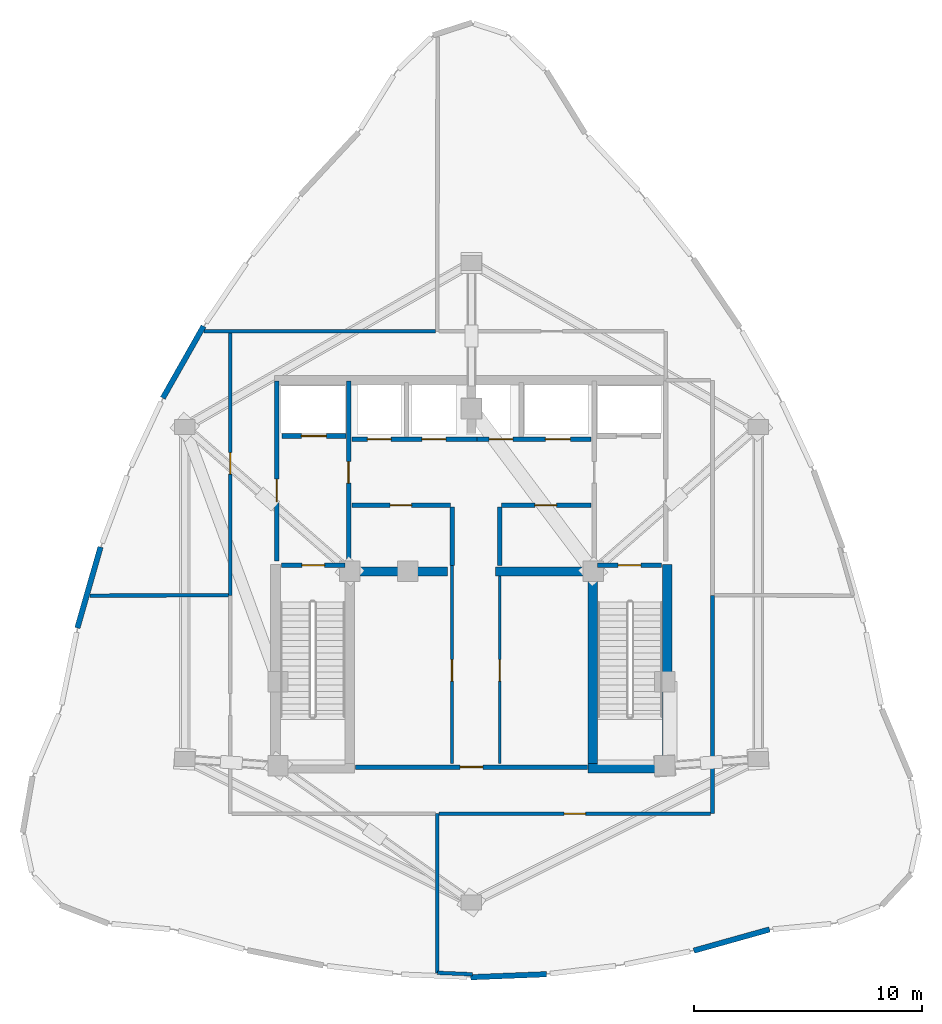
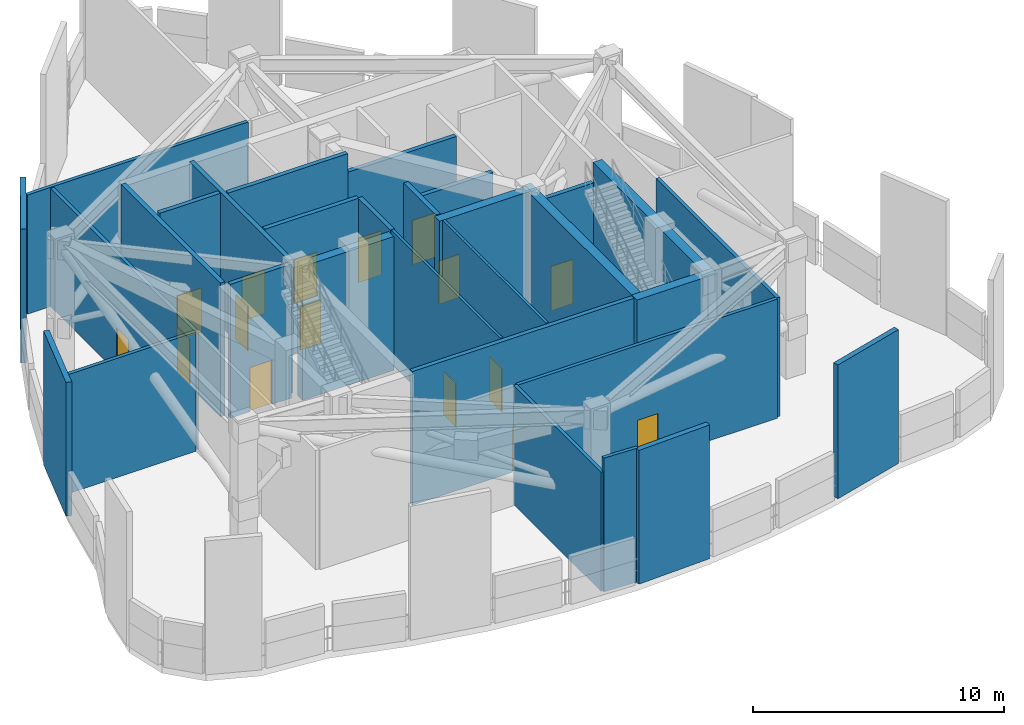
# One storey, part 3 of 8: 30 walls, 16 doors, 16 openings.
"""IFC4 building model written with IfcOpenShell, lengths in metres."""

import ifcopenshell
import ifcopenshell.guid

model = None  # the IFC model being written
_history = None  # IfcOwnerHistory: only IFC2X3 demands one
_inside = {}  # id of a spatial element -> (the spatial element, [elements in it])
_under = {}  # id of a project, library or spatial element -> (it, [spatial elements below it])
_declared = {}  # id of a project -> (the project, [libraries it declares])
_typed = {}  # id of a type object -> (the type object, [elements of that type])
_made_of = {}  # id of a material, layer set ... -> (it, [elements and type objects made of it])


def new_model(schema):
    """Start an empty IFC model of exactly this schema.

    Asked for "IFC4X3", IfcOpenShell would pick the latest addendum, in which some entities
    have other attributes; the version numbers below select the first issue.
    IFC2X3 requires an IfcOwnerHistory on every rooted entity: one is made here for all.
    """
    global model, _history
    if schema == "IFC4X3":
        model = ifcopenshell.file(schema_version=(4, 3, 0, 0))
    else:
        model = ifcopenshell.file(schema=schema)
    _inside.clear()
    _under.clear()
    _declared.clear()
    _typed.clear()
    _made_of.clear()
    _history = None
    if model.schema == "IFC2X3":
        org = make("IfcOrganization", Name="unknown")
        user = make(
            "IfcPersonAndOrganization",
            ThePerson=make("IfcPerson", FamilyName="unknown"),
            TheOrganization=org,
        )
        app = make(
            "IfcApplication",
            ApplicationDeveloper=org,
            Version="unknown",
            ApplicationFullName="unknown",
            ApplicationIdentifier="unknown",
        )
        _history = make(
            "IfcOwnerHistory",
            OwningUser=user,
            OwningApplication=app,
            ChangeAction="ADDED",
            CreationDate=0,
        )
    return model


def make(cls, **values):
    """One entity of the class cls with the attributes given. An attribute that is None is left unset."""
    return model.create_entity(
        cls, **{name: value for name, value in values.items() if value is not None}
    )


def rooted(cls, **values):
    """An entity with a GlobalId (a new one), such as an element, a storey or a relation."""
    return make(cls, GlobalId=ifcopenshell.guid.new(), OwnerHistory=_history, **values)


def si_unit(unit_type, name, prefix=None):
    """IfcSIUnit, for example si_unit("LENGTHUNIT", "METRE", prefix="MILLI")."""
    return make("IfcSIUnit", UnitType=unit_type, Prefix=prefix, Name=name)


def assignment(units):
    """IfcUnitAssignment: the units of a project."""
    return None if units is None else make("IfcUnitAssignment", Units=units)


def point(xyz):
    """IfcCartesianPoint."""
    return None if xyz is None else make("IfcCartesianPoint", Coordinates=xyz)


def direction(xyz):
    """IfcDirection."""
    return None if xyz is None else make("IfcDirection", DirectionRatios=xyz)


def frame(location, z_axis=None, x_axis=None):
    """IfcAxis2Placement3D, a coordinate frame: its origin and axes. An axis left out is left unset."""
    return make(
        "IfcAxis2Placement3D",
        Location=point(location),
        Axis=direction(z_axis),
        RefDirection=direction(x_axis),
    )


def frame_2d(location, x_axis=None):
    """IfcAxis2Placement2D, a coordinate frame in the plane: its origin and x axis."""
    return make(
        "IfcAxis2Placement2D", Location=point(location), RefDirection=direction(x_axis)
    )


def origin():
    """The frame at (0, 0, 0) with its axes left unset."""
    return frame((0.0, 0.0, 0.0))


def place(relative_to, where):
    """IfcLocalPlacement: puts the frame where relative to a parent placement (None: the world)."""
    return make(
        "IfcLocalPlacement", PlacementRelTo=relative_to, RelativePlacement=where
    )


def context(
    kind, dimensions, precision=None, world=None, true_north=None, identifier=None
):
    """IfcGeometricRepresentationContext, for example the 3D "Model" context."""
    return make(
        "IfcGeometricRepresentationContext",
        ContextIdentifier=identifier,
        ContextType=kind,
        CoordinateSpaceDimension=dimensions,
        Precision=precision,
        WorldCoordinateSystem=world,
        TrueNorth=true_north,
    )


def subcontext(parent, identifier, kind, view, scale=None):
    """IfcGeometricRepresentationSubContext, for example "Body" below "Model"."""
    return make(
        "IfcGeometricRepresentationSubContext",
        ContextIdentifier=identifier,
        ContextType=kind,
        ParentContext=parent,
        TargetScale=scale,
        TargetView=view,
    )


def project(units=None, contexts=None):
    """IfcProject with its units and contexts."""
    return rooted(
        "IfcProject",
        Name="project",
        RepresentationContexts=contexts,
        UnitsInContext=assignment(units),
    )


def spatial(cls, under=None, at=None, **own):
    """A site, building, storey or space (cls), placed at a placement, below another one or the project."""
    s = rooted(cls, ObjectPlacement=at, **own)
    if under is not None:
        _under.setdefault(under.id(), (under, []))[1].append(s)
    return s


def profile(cls, at=None, kind="AREA", **sizes):
    """A parametric profile (cls). Its sizes go by their IFC names, for example OverallWidth=200.0."""
    return make(cls, ProfileType=kind, Position=at, **sizes)


def rectangle(**sizes):
    """IfcRectangleProfileDef."""
    return profile("IfcRectangleProfileDef", **sizes)


def extrude(swept, where, along, depth):
    """IfcExtrudedAreaSolid: the profile swept, set in the frame where, extruded along a direction by depth."""
    return make(
        "IfcExtrudedAreaSolid",
        SweptArea=swept,
        Position=where,
        ExtrudedDirection=direction(along),
        Depth=depth,
    )


def shape(context_of_items, identifier, shape_type, items):
    """IfcShapeRepresentation: the items that make up one representation, for example the "Body"."""
    return make(
        "IfcShapeRepresentation",
        ContextOfItems=context_of_items,
        RepresentationIdentifier=identifier,
        RepresentationType=shape_type,
        Items=items,
    )


def material(Name=None, Category=None):
    """IfcMaterial."""
    return make("IfcMaterial", Name=Name, Category=Category)


def layer(
    of_material, thickness, ventilated=None, Name=None, Category=None, Priority=None
):
    """IfcMaterialLayer: one layer of a wall or slab, of a material (None: an air gap)."""
    return make(
        "IfcMaterialLayer",
        Material=of_material,
        LayerThickness=thickness,
        IsVentilated=ventilated,
        Name=Name,
        Category=Category,
        Priority=Priority,
    )


def layer_set(layers, Name=None):
    """IfcMaterialLayerSet."""
    return make("IfcMaterialLayerSet", MaterialLayers=layers, LayerSetName=Name)


def made_of(thing, what):
    """Note that an element or type object is made of a material, layer set ...; save() writes the relation."""
    if what is not None:
        _made_of.setdefault(what.id(), (what, []))[1].append(thing)
    return thing


def type_object(cls, material=None, **own):
    """A type object (cls), such as IfcWallType, which elements share."""
    return made_of(rooted(cls, **own), material)


def element(
    cls,
    number,
    at=None,
    inside=None,
    cuts=None,
    type_object=None,
    material=None,
    context=None,
    identifier="Body",
    shape_type=None,
    held_by="IfcProductDefinitionShape",
    body=None,
    shapes=None,
    **own,
):
    """One element of the class cls, such as IfcWall. Its Tag is "e" and its number.

    at: its placement. inside: the storey or other place that contains it. cuts: it is an
    opening in that element (IfcRelVoidsElement). A single representation is given by context,
    identifier, shape_type and body (its items); several are given by shapes. held_by: the class
    of the entity that holds the representations. save() writes the other relations.
    """
    e = rooted(cls, Tag="e%d" % number, ObjectPlacement=at, **own)
    if body is not None:
        shapes = [shape(context, identifier, shape_type, body)]
    if shapes is not None:
        e.Representation = make(held_by, Representations=shapes)
    if inside is not None:
        _inside.setdefault(inside.id(), (inside, []))[1].append(e)
    if cuts is not None:
        rooted(
            "IfcRelVoidsElement", RelatingBuildingElement=cuts, RelatedOpeningElement=e
        )
    if type_object is not None:
        _typed.setdefault(type_object.id(), (type_object, []))[1].append(e)
    return made_of(e, material)


def fill(opening, filler):
    """IfcRelFillsElement: the door or window that sits in an opening."""
    return rooted(
        "IfcRelFillsElement",
        RelatingOpeningElement=opening,
        RelatedBuildingElement=filler,
    )


def aggregate(whole, parts):
    """IfcRelAggregates: a whole, such as a stair, and the parts it consists of."""
    return rooted("IfcRelAggregates", RelatingObject=whole, RelatedObjects=parts)


def save(model, path):
    """Write the relations noted so far, then the file.

    IfcRelAggregates (storeys below a building ...), IfcRelContainedInSpatialStructure (elements
    in a storey), IfcRelDefinesByType, IfcRelAssociatesMaterial and IfcRelDeclares: one each for
    every whole, place, type object, material and project.
    """
    for whole, parts in _under.values():
        aggregate(whole, parts)
    for where, things in _inside.values():
        rooted(
            "IfcRelContainedInSpatialStructure",
            RelatedElements=things,
            RelatingStructure=where,
        )
    for kind, things in _typed.values():
        rooted("IfcRelDefinesByType", RelatedObjects=things, RelatingType=kind)
    for what, things in _made_of.values():
        rooted("IfcRelAssociatesMaterial", RelatedObjects=things, RelatingMaterial=what)
    for by, libraries in _declared.values():
        rooted("IfcRelDeclares", RelatingContext=by, RelatedDefinitions=libraries)
    model.write(path)


model = new_model("IFC4")

# Units and contexts
model_context = context("Model", 3, precision=1e-05, world=origin(), true_north=direction((0.0, 1.0)))
body_context = subcontext(model_context, "Body", "Model", "MODEL_VIEW")
ifc_project = project(units=[si_unit("LENGTHUNIT", "METRE"), si_unit("AREAUNIT", "SQUARE_METRE"), si_unit("VOLUMEUNIT", "CUBIC_METRE"), si_unit("PLANEANGLEUNIT", "RADIAN"), si_unit("MASSUNIT", "GRAM", prefix="KILO")], contexts=[model_context])

# Site, building, storey
site_placement = place(None, origin())
site = spatial("IfcSite", under=ifc_project, at=site_placement, CompositionType="ELEMENT")
building_placement = place(site_placement, origin())
building = spatial("IfcBuilding", under=site, at=building_placement, Name="Miruveldt Soraemaru", CompositionType="ELEMENT")
storey_placement = place(building_placement, frame((0.0, 0.0, 282.800048828125)))
storey = spatial("IfcBuildingStorey", under=building, at=storey_placement, Name="L77", CompositionType="ELEMENT", Elevation=282.800048828125)

# Walls
ifc_material_1 = material(Name="Concrete C70/85 (70 MPa)", Category="concrete")
ifc_layer_1 = layer(ifc_material_1, 0.5, Name="Concrete C70/85 (70 MPa)", Category="concrete")
ifc_layer_set_1 = layer_set([ifc_layer_1], Name="Concrete C70/85 (70 MPa)")
wall_type_1 = type_object("IfcWallType", Name="WALL-BW-500", PredefinedType="SHEAR", material=ifc_layer_set_1)
for number, where, z_axis, x_axis, name in (
    (1, (38.75, 44.050048828125, 0.0), (0.0, 0.0, 1.0), (1.0, 0.0, 0.0), "L77 Core Buttress Shear Wall BW"),
    (2, (45.050048828125, 44.050048828125, 0.0), (0.0, 0.0, 1.0), (1.0, 0.0, 0.0), "L77 Core Buttress Shear Wall BE"),
):
    element("IfcWall", number, at=place(storey_placement, frame(where, z_axis=z_axis, x_axis=x_axis)), inside=storey, type_object=wall_type_1, Name=name, PredefinedType="SHEAR", context=body_context, shape_type="SweptSolid", body=[
        extrude(rectangle(XDim=4.199951171875, YDim=0.39990234375, at=frame_2d((2.10009765625, 0.0))), origin(), (0.0, 0.0, 1.0), 6.510009765625),
    ])
ifc_material_2 = material(Name="Concrete C50/60 (50 MPa)", Category="concrete")
ifc_layer_2 = layer(ifc_material_2, 0.419921875, Name="Concrete C50/60 (50 MPa)", Category="concrete")
ifc_layer_set_2 = layer_set([ifc_layer_2], Name="Concrete C50/60 (50 MPa)")
wall_type_2 = type_object("IfcWallType", Name="WALL-CW-420", PredefinedType="SHEAR", material=ifc_layer_set_2)
wall_1_placement = place(storey_placement, frame((49.1298828125, 35.389892578125, 0.0), z_axis=(0.0, 0.0, 1.0), x_axis=(1.0, 0.0, 0.0)))
element("IfcWall", 3, at=wall_1_placement, inside=storey, type_object=wall_type_2, Name="L77 Central Core Shear Wall S2", PredefinedType="SHEAR", context=body_context, shape_type="SweptSolid", body=[
    extrude(rectangle(XDim=3.690185546875, YDim=0.419921875, at=frame_2d((1.84521484375, 0.0))), origin(), (0.0, 0.0, 1.0), 6.510009765625),
])
wall_2_placement = place(storey_placement, frame((52.610107421875, 35.179931640625, 0.0), z_axis=(0.0, 0.0, 1.0), x_axis=(0.0, 1.0, 0.0)))
element("IfcWall", 4, at=wall_2_placement, inside=storey, type_object=wall_type_2, Name="L77 Central Core Shear Wall E1", PredefinedType="SHEAR", context=body_context, shape_type="SweptSolid", body=[
    extrude(rectangle(XDim=9.170166015625, YDim=0.419921875, at=frame_2d((4.5849609375, 0.0))), origin(), (0.0, 0.0, 1.0), 6.510009765625),
])
wall_3_placement = place(storey_placement, frame((49.340087890625, 35.39990234375, 0.0), z_axis=(0.0, 0.0, 1.0), x_axis=(0.0, 1.0, 0.0)))
element("IfcWall", 5, at=wall_3_placement, inside=storey, type_object=wall_type_2, Name="L77 Central Core Shear Wall SE-INT", PredefinedType="SHEAR", context=body_context, shape_type="SweptSolid", body=[
    extrude(rectangle(XDim=8.9501953125, YDim=0.419921875, at=frame_2d((4.47509765625, 0.0))), origin(), (0.0, 0.0, 1.0), 6.510009765625),
])
ifc_material_3 = material(Name="Precast concrete C45/55 (45 MPa)", Category="concrete")
ifc_layer_3 = layer(ifc_material_3, 0.239990234375, Name="Precast concrete C45/55 (45 MPa)", Category="concrete")
ifc_layer_set_3 = layer_set([ifc_layer_3], Name="Precast concrete C45/55 (45 MPa)")
wall_type_3 = type_object("IfcWallType", Name="WALL-EXT-PC240", PredefinedType="SOLIDWALL", material=ifc_layer_set_3)
wall_4_placement = place(storey_placement, frame((32.228759765625, 54.825439453125, 0.0), z_axis=(0.0, 0.0, 1.0), x_axis=(-0.493333269889, -0.869840378932, 0.0)))
element("IfcWall", 6, at=wall_4_placement, inside=storey, type_object=wall_type_3, Name="L77 Turbine Slot Pier Wall 10", PredefinedType="SOLIDWALL", context=body_context, shape_type="SweptSolid", body=[
    extrude(rectangle(XDim=3.6298828125, YDim=0.239990234375, at=frame_2d((1.81494140625, 0.0))), origin(), (0.0, 0.0, 1.0), 6.510009765625),
])
wall_5_placement = place(storey_placement, frame((27.69921875, 45.1201171875, 0.0), z_axis=(0.0, 0.0, 1.0), x_axis=(-0.27493040994, -0.961464128135, 0.0)))
element("IfcWall", 7, at=wall_5_placement, inside=storey, type_object=wall_type_3, Name="L77 Turbine Slot Pier Wall 13", PredefinedType="SOLIDWALL", context=body_context, shape_type="SweptSolid", body=[
    extrude(rectangle(XDim=3.69775390625, YDim=0.239990234375, at=frame_2d((1.848876953125, 0.0))), origin(), (0.0, 0.0, 1.0), 6.510009765625),
])
wall_6_placement = place(storey_placement, frame((43.969970703125, 26.210693359375, 0.0), z_axis=(0.0, 0.0, 1.0), x_axis=(0.999199201801, 0.040011937234, 0.0)))
element("IfcWall", 8, at=wall_6_placement, inside=storey, type_object=wall_type_3, Name="L77 Turbine Slot Pier Wall 25", PredefinedType="SOLIDWALL", context=body_context, shape_type="SweptSolid", body=[
    extrude(rectangle(XDim=3.33154296875, YDim=0.239990234375, at=frame_2d((1.665771484375, 0.0))), origin(), (0.0, 0.0, 1.0), 6.510009765625),
])
wall_7_placement = place(storey_placement, frame((53.777587890625, 27.380615234375, 0.0), z_axis=(0.0, 0.0, 1.0), x_axis=(0.962969157375, 0.269611576059, 0.0)))
element("IfcWall", 9, at=wall_7_placement, inside=storey, type_object=wall_type_3, Name="L77 Turbine Slot Pier Wall 28", PredefinedType="SOLIDWALL", context=body_context, shape_type="SweptSolid", body=[
    extrude(rectangle(XDim=3.45458984375, YDim=0.239990234375, at=frame_2d((1.727294921875, 0.0))), origin(), (0.0, 0.0, 1.0), 6.510009765625),
])

# Wall, opening, door
ifc_material_4 = material(Name="Gypsum plasterboard lining", Category="gypsum")
ifc_layer_4 = layer(ifc_material_4, 0.1201171875, Name="Gypsum plasterboard lining", Category="gypsum")
ifc_layer_set_4 = layer_set([ifc_layer_4], Name="Gypsum plasterboard lining")
wall_type_4 = type_object("IfcWallType", Name="WALL-INT-P120", PredefinedType="PARTITIONING", material=ifc_layer_set_4)
wall_8_placement = place(storey_placement, frame((43.14990234375, 35.60009765625, 0.0), z_axis=(0.0, 0.0, 1.0), x_axis=(0.0, 1.0, 0.0)))
wall_8 = element("IfcWall", 10, at=wall_8_placement, inside=storey, type_object=wall_type_4, Name="L77 Core Compartment Wall SP-WL", PredefinedType="PARTITIONING", context=body_context, shape_type="SweptSolid", body=[
    extrude(rectangle(XDim=8.699951171875, YDim=0.1201171875, at=frame_2d((4.35009765625, 0.0))), origin(), (0.0, 0.0, 1.0), 6.510009765625),
])
opening_1_placement = place(wall_8_placement, frame((3.625, 0.0, 0.0)))
opening_1 = element("IfcOpeningElement", 11, at=opening_1_placement, cuts=wall_8, Name="Opening D2", PredefinedType="OPENING", context=body_context, shape_type="SweptSolid", body=[
    extrude(rectangle(XDim=0.949951171875, YDim=2.10009765625, at=frame_2d((0.47509765625, 1.050048828125))), frame((0.0, 0.070068359375, 0.0), z_axis=(0.0, -1.0, 0.0), x_axis=(1.0, 0.0, 0.0)), (0.0, 0.0, 1.0), 0.14013671875),
])
ifc_material_5 = material(Name="Anodised aluminium EN AW-6063 T6", Category="aluminium")
door_type_1 = type_object("IfcDoorType", Name="DOOR-INT-950", OperationType="NOTDEFINED", PredefinedType="DOOR", material=ifc_material_5)
door_1_placement = place(opening_1_placement, origin())
door_1 = element("IfcDoor", 12, at=door_1_placement, inside=storey, type_object=door_type_1, Name="L77 Fire Door", OperationType="SINGLE_SWING_LEFT", OverallHeight=2.10009765625, OverallWidth=0.949951171875, PredefinedType="DOOR", context=body_context, shape_type="SweptSolid", body=[
    extrude(rectangle(XDim=0.949951171875, YDim=2.10009765625, at=frame_2d((0.47509765625, 1.050048828125))), frame((0.0, 0.02490234375, 0.0), z_axis=(0.0, -1.0, 0.0), x_axis=(1.0, 0.0, 0.0)), (0.0, 0.0, 1.0), 0.050048828125),
])
fill(opening_1, door_1)

wall_9_placement = place(storey_placement, frame((45.25, 35.60009765625, 0.0), z_axis=(0.0, 0.0, 1.0), x_axis=(0.0, 1.0, 0.0)))
wall_9 = element("IfcWall", 13, at=wall_9_placement, inside=storey, type_object=wall_type_4, Name="L77 Core Compartment Wall SP-EL", PredefinedType="PARTITIONING", context=body_context, shape_type="SweptSolid", body=[
    extrude(rectangle(XDim=8.25, YDim=0.1201171875, at=frame_2d((4.125, 0.0))), origin(), (0.0, 0.0, 1.0), 6.510009765625),
])
opening_2_placement = place(wall_9_placement, frame((3.625, 0.0, 0.0)))
opening_2 = element("IfcOpeningElement", 14, at=opening_2_placement, cuts=wall_9, Name="Opening D2", PredefinedType="OPENING", context=body_context, shape_type="SweptSolid", body=[
    extrude(rectangle(XDim=0.949951171875, YDim=2.10009765625, at=frame_2d((0.47509765625, 1.050048828125))), frame((0.0, 0.070068359375, 0.0), z_axis=(0.0, -1.0, 0.0), x_axis=(1.0, 0.0, 0.0)), (0.0, 0.0, 1.0), 0.14013671875),
])
door_2_placement = place(opening_2_placement, origin())
door_2 = element("IfcDoor", 15, at=door_2_placement, inside=storey, type_object=door_type_1, Name="L77 Fire Door", OperationType="SINGLE_SWING_LEFT", OverallHeight=2.10009765625, OverallWidth=0.949951171875, PredefinedType="DOOR", context=body_context, shape_type="SweptSolid", body=[
    extrude(rectangle(XDim=0.949951171875, YDim=2.10009765625, at=frame_2d((0.47509765625, 1.050048828125))), frame((0.0, 0.02490234375, 0.0), z_axis=(0.0, -1.0, 0.0), x_axis=(1.0, 0.0, 0.0)), (0.0, 0.0, 1.0), 0.050048828125),
])
fill(opening_2, door_2)

ifc_material_6 = material(Name="Concrete C40/50 (40 MPa)", Category="concrete")
ifc_layer_5 = layer(ifc_material_6, 0.159912109375, Name="Concrete C40/50 (40 MPa)", Category="concrete")
ifc_layer_set_5 = layer_set([ifc_layer_5], Name="Concrete C40/50 (40 MPa)")
wall_type_5 = type_object("IfcWallType", Name="WALL-INT-RC160", PredefinedType="SOLIDWALL", material=ifc_layer_set_5)
wall_10_placement = place(storey_placement, frame((42.580078125, 33.39990234375, 0.0), z_axis=(0.0, 0.0, 1.0), x_axis=(1.0, 0.0, 0.0)))
wall_10 = element("IfcWall", 16, at=wall_10_placement, inside=storey, type_object=wall_type_5, Name="L77 Partition Wall 3", PredefinedType="SOLIDWALL", context=body_context, shape_type="SweptSolid", body=[
    extrude(rectangle(XDim=11.93994140625, YDim=0.159912109375, at=frame_2d((5.969970703125, 0.0))), origin(), (0.0, 0.0, 1.0), 5.7978515625),
])
opening_3_placement = place(wall_10_placement, frame((5.4951171875, 0.0, 0.0)))
opening_3 = element("IfcOpeningElement", 17, at=opening_3_placement, cuts=wall_10, Name="Opening FD2", PredefinedType="OPENING", context=body_context, shape_type="SweptSolid", body=[
    extrude(rectangle(XDim=0.949951171875, YDim=2.14990234375, at=frame_2d((0.47509765625, 1.074951171875))), frame((0.0, 0.08984375, 0.0), z_axis=(0.0, -1.0, 0.0), x_axis=(1.0, 0.0, 0.0)), (0.0, 0.0, 1.0), 0.179931640625),
])
door_type_2 = type_object("IfcDoorType", Name="DOOR-FD2-950", OperationType="NOTDEFINED", PredefinedType="DOOR", material=ifc_material_5)
door_3_placement = place(opening_3_placement, origin())
door_3 = element("IfcDoor", 18, at=door_3_placement, inside=storey, type_object=door_type_2, Name="L77 Chiller and Heat Exchanger Plant Room Fire Door", OperationType="SINGLE_SWING_LEFT", OverallHeight=2.14990234375, OverallWidth=0.949951171875, PredefinedType="DOOR", context=body_context, shape_type="SweptSolid", body=[
    extrude(rectangle(XDim=0.949951171875, YDim=2.14990234375, at=frame_2d((0.47509765625, 1.074951171875))), frame((0.0, 0.02490234375, 0.0), z_axis=(0.0, -1.0, 0.0), x_axis=(1.0, 0.0, 0.0)), (0.0, 0.0, 1.0), 0.050048828125),
])
fill(opening_3, door_3)

wall_11_placement = place(storey_placement, frame((33.39990234375, 54.60009765625, 0.0), z_axis=(0.0, 0.0, 1.0), x_axis=(0.0, -1.0, 0.0)))
wall_11 = element("IfcWall", 19, at=wall_11_placement, inside=storey, type_object=wall_type_5, Name="L77 Partition Wall 6", PredefinedType="SOLIDWALL", context=body_context, shape_type="SweptSolid", body=[
    extrude(rectangle(XDim=11.60009765625, YDim=0.159912109375, at=frame_2d((5.800048828125, 0.0))), origin(), (0.0, 0.0, 1.0), 5.748046875),
])
opening_4_placement = place(wall_11_placement, frame((5.324951171875, 0.0, 0.0)))
opening_4 = element("IfcOpeningElement", 20, at=opening_4_placement, cuts=wall_11, Name="Opening FD2", PredefinedType="OPENING", context=body_context, shape_type="SweptSolid", body=[
    extrude(rectangle(XDim=0.949951171875, YDim=2.14990234375, at=frame_2d((0.47509765625, 1.074951171875))), frame((0.0, 0.08984375, 0.0), z_axis=(0.0, -1.0, 0.0), x_axis=(1.0, 0.0, 0.0)), (0.0, 0.0, 1.0), 0.179931640625),
])
door_4_placement = place(opening_4_placement, origin())
door_4 = element("IfcDoor", 21, at=door_4_placement, inside=storey, type_object=door_type_2, Name="L77 Primary Air Handling Fan Plant Room Fire Door", OperationType="SINGLE_SWING_RIGHT", OverallHeight=2.14990234375, OverallWidth=0.949951171875, PredefinedType="DOOR", context=body_context, shape_type="SweptSolid", body=[
    extrude(rectangle(XDim=0.949951171875, YDim=2.14990234375, at=frame_2d((0.47509765625, 1.074951171875))), frame((0.0, 0.02490234375, 0.0), z_axis=(0.0, -1.0, 0.0), x_axis=(1.0, 0.0, 0.0)), (0.0, 0.0, 1.0), 0.050048828125),
])
fill(opening_4, door_4)

# Walls
wall_12_placement = place(storey_placement, frame((42.419921875, 54.60009765625, 0.0), z_axis=(0.0, 0.0, 1.0), x_axis=(-1.0, 0.0, 0.0)))
element("IfcWall", 22, at=wall_12_placement, inside=storey, type_object=wall_type_5, Name="L77 Partition Wall 5", PredefinedType="SOLIDWALL", context=body_context, shape_type="SweptSolid", body=[
    extrude(rectangle(XDim=10.163818359375, YDim=0.159912109375, at=frame_2d((5.08203125, 0.0))), origin(), (0.0, 0.0, 1.0), 5.7978515625),
])
wall_13_placement = place(storey_placement, frame((54.60009765625, 33.39990234375, 0.0), z_axis=(0.0, 0.0, 1.0), x_axis=(0.0, 1.0, 0.0)))
element("IfcWall", 23, at=wall_13_placement, inside=storey, type_object=wall_type_5, Name="L77 Partition Wall 4", PredefinedType="SOLIDWALL", context=body_context, shape_type="SweptSolid", body=[
    extrude(rectangle(XDim=9.60009765625, YDim=0.159912109375, at=frame_2d((4.800048828125, 0.0))), origin(), (0.0, 0.0, 1.0), 5.7978515625),
])
wall_14_placement = place(storey_placement, frame((42.501953125, 26.406982421875, 0.0), z_axis=(0.0, 0.0, 1.0), x_axis=(-0.000279300342, 0.999999960996, 0.0)))
element("IfcWall", 24, at=wall_14_placement, inside=storey, type_object=wall_type_5, Name="L77 Partition Wall 11", PredefinedType="SOLIDWALL", context=body_context, shape_type="SweptSolid", body=[
    extrude(rectangle(XDim=6.992919921875, YDim=0.159912109375, at=frame_2d((3.49658203125, 0.0))), origin(), (0.0, 0.0, 1.0), 5.7978515625),
])
wall_15_placement = place(storey_placement, frame((33.320068359375, 43.0, 0.0), z_axis=(0.0, 0.0, 1.0), x_axis=(-0.999997011031, -0.002444980467, 0.0)))
element("IfcWall", 25, at=wall_15_placement, inside=storey, type_object=wall_type_5, Name="L77 Partition Wall 12", PredefinedType="SOLIDWALL", context=body_context, shape_type="SweptSolid", body=[
    extrude(rectangle(XDim=6.091064453125, YDim=0.159912109375, at=frame_2d((3.04541015625, 0.0))), origin(), (0.0, 0.0, 1.0), 5.7978515625),
])
wall_16_placement = place(storey_placement, frame((42.501953125, 26.406982421875, 0.0), z_axis=(0.0, 0.0, 1.0), x_axis=(0.999108795234, -0.042209184862, 0.0)))
element("IfcWall", 26, at=wall_16_placement, inside=storey, type_object=wall_type_5, Name="L77 Partition Closure Return 1", PredefinedType="SOLIDWALL", context=body_context, shape_type="SweptSolid", body=[
    extrude(rectangle(XDim=1.54443359375, YDim=0.159912109375, at=frame_2d((0.772216796875, 0.0))), origin(), (0.0, 0.0, 1.0), 6.510009765625),
])

# Wall, opening, door
ifc_layer_6 = layer(ifc_material_6, 0.199951171875, Name="Concrete C40/50 (40 MPa)", Category="concrete")
ifc_layer_set_6 = layer_set([ifc_layer_6], Name="Concrete C40/50 (40 MPa)")
wall_type_6 = type_object("IfcWallType", Name="WALL-INT-RC200", PredefinedType="SOLIDWALL", material=ifc_layer_set_6)
wall_17_placement = place(storey_placement, frame((38.89990234375, 35.449951171875, 0.0), z_axis=(0.0, 0.0, 1.0), x_axis=(1.0, 0.0, 0.0)))
wall_17 = element("IfcWall", 27, at=wall_17_placement, inside=storey, type_object=wall_type_6, Name="L77 Core Compartment Wall CS-S", PredefinedType="SOLIDWALL", context=body_context, shape_type="SweptSolid", body=[
    extrude(rectangle(XDim=10.2001953125, YDim=0.199951171875, at=frame_2d((5.10009765625, 0.0))), origin(), (0.0, 0.0, 1.0), 6.510009765625),
])
opening_5_placement = place(wall_17_placement, frame((4.60009765625, 0.0, 0.0)))
opening_5 = element("IfcOpeningElement", 28, at=opening_5_placement, cuts=wall_17, Name="Opening FD1", PredefinedType="OPENING", context=body_context, shape_type="SweptSolid", body=[
    extrude(rectangle(XDim=1.0, YDim=2.14990234375, at=frame_2d((0.5, 1.074951171875))), frame((0.0, 0.10986328125, 0.0), z_axis=(0.0, -1.0, 0.0), x_axis=(1.0, 0.0, 0.0)), (0.0, 0.0, 1.0), 0.219970703125),
])
door_type_3 = type_object("IfcDoorType", Name="DOOR-FD1-1000", OperationType="NOTDEFINED", PredefinedType="DOOR", material=ifc_material_5)
door_5_placement = place(opening_5_placement, origin())
door_5 = element("IfcDoor", 29, at=door_5_placement, inside=storey, type_object=door_type_3, Name="L77 Core South Lobby Fire Door", OperationType="SINGLE_SWING_LEFT", OverallHeight=2.14990234375, OverallWidth=1.0, PredefinedType="DOOR", context=body_context, shape_type="SweptSolid", body=[
    extrude(rectangle(XDim=1.0, YDim=2.14990234375, at=frame_2d((0.5, 1.074951171875))), frame((0.0, 0.02490234375, 0.0), z_axis=(0.0, -1.0, 0.0), x_axis=(1.0, 0.0, 0.0)), (0.0, 0.0, 1.0), 0.050048828125),
])
fill(opening_5, door_5)

wall_18_placement = place(storey_placement, frame((35.449951171875, 44.5, 0.0), z_axis=(0.0, 0.0, 1.0), x_axis=(0.0, 1.0, 0.0)))
wall_18 = element("IfcWall", 30, at=wall_18_placement, inside=storey, type_object=wall_type_6, Name="L77 Core Compartment Wall FFW-OUT", PredefinedType="SOLIDWALL", context=body_context, shape_type="SweptSolid", body=[
    extrude(rectangle(XDim=7.919921875, YDim=0.199951171875, at=frame_2d((3.9599609375, 0.0))), origin(), (0.0, 0.0, 1.0), 6.510009765625),
])
opening_6_placement = place(wall_18_placement, frame((2.60009765625, 0.0, 0.0)))
opening_6 = element("IfcOpeningElement", 31, at=opening_6_placement, cuts=wall_18, Name="Opening FD1", PredefinedType="OPENING", context=body_context, shape_type="SweptSolid", body=[
    extrude(rectangle(XDim=1.0, YDim=2.14990234375, at=frame_2d((0.5, 1.074951171875))), frame((0.0, 0.10986328125, 0.0), z_axis=(0.0, -1.0, 0.0), x_axis=(1.0, 0.0, 0.0)), (0.0, 0.0, 1.0), 0.219970703125),
])
door_6_placement = place(opening_6_placement, origin())
door_6 = element("IfcDoor", 32, at=door_6_placement, inside=storey, type_object=door_type_3, Name="L77 West Firefighting Lobby Exit Door", OperationType="SINGLE_SWING_LEFT", OverallHeight=2.14990234375, OverallWidth=1.0, PredefinedType="DOOR", context=body_context, shape_type="SweptSolid", body=[
    extrude(rectangle(XDim=1.0, YDim=2.14990234375, at=frame_2d((0.5, 1.074951171875))), frame((0.0, 0.02490234375, 0.0), z_axis=(0.0, -1.0, 0.0), x_axis=(1.0, 0.0, 0.0)), (0.0, 0.0, 1.0), 0.050048828125),
])
fill(opening_6, door_6)

wall_19_placement = place(storey_placement, frame((38.60009765625, 44.5, 0.0), z_axis=(0.0, 0.0, 1.0), x_axis=(0.0, 1.0, 0.0)))
wall_19 = element("IfcWall", 33, at=wall_19_placement, inside=storey, type_object=wall_type_6, Name="L77 Core Compartment Wall FFW-IN", PredefinedType="SOLIDWALL", context=body_context, shape_type="SweptSolid", body=[
    extrude(rectangle(XDim=7.919921875, YDim=0.199951171875, at=frame_2d((3.9599609375, 0.0))), origin(), (0.0, 0.0, 1.0), 6.510009765625),
])
opening_7_placement = place(wall_19_placement, frame((3.425048828125, 0.0, 0.0)))
opening_7 = element("IfcOpeningElement", 34, at=opening_7_placement, cuts=wall_19, Name="Opening FD2", PredefinedType="OPENING", context=body_context, shape_type="SweptSolid", body=[
    extrude(rectangle(XDim=0.949951171875, YDim=2.14990234375, at=frame_2d((0.47509765625, 1.074951171875))), frame((0.0, 0.10986328125, 0.0), z_axis=(0.0, -1.0, 0.0), x_axis=(1.0, 0.0, 0.0)), (0.0, 0.0, 1.0), 0.219970703125),
])
door_7_placement = place(opening_7_placement, frame((0.949951171875, 0.0, 0.0), z_axis=(0.0, 0.0, 1.0), x_axis=(-1.0, 0.0, 0.0)))
door_7 = element("IfcDoor", 35, at=door_7_placement, inside=storey, type_object=door_type_2, Name="L77 Lift Lobby to West Fire Lobby Door", OperationType="SINGLE_SWING_RIGHT", OverallHeight=2.14990234375, OverallWidth=0.949951171875, PredefinedType="DOOR", context=body_context, shape_type="SweptSolid", body=[
    extrude(rectangle(XDim=0.949951171875, YDim=2.14990234375, at=frame_2d((0.47509765625, 1.074951171875))), frame((0.0, 0.02490234375, 0.0), z_axis=(0.0, -1.0, 0.0), x_axis=(1.0, 0.0, 0.0)), (0.0, 0.0, 1.0), 0.050048828125),
])
fill(opening_7, door_7)

# Wall, openings, doors
wall_20_placement = place(storey_placement, frame((38.75, 49.85009765625, 0.0), z_axis=(0.0, 0.0, 1.0), x_axis=(1.0, 0.0, 0.0)))
wall_20 = element("IfcWall", 36, at=wall_20_placement, inside=storey, type_object=wall_type_6, Name="L77 Core Compartment Wall ROWA-SW", PredefinedType="SOLIDWALL", context=body_context, shape_type="SweptSolid", body=[
    extrude(rectangle(XDim=5.5, YDim=0.199951171875, at=frame_2d((2.75, 0.0))), origin(), (0.0, 0.0, 1.0), 6.510009765625),
])
opening_8_placement = place(wall_20_placement, frame((0.675048828125, 0.0, 0.0)))
opening_8 = element("IfcOpeningElement", 37, at=opening_8_placement, cuts=wall_20, Name="Opening LD1", PredefinedType="OPENING", context=body_context, shape_type="SweptSolid", body=[
    extrude(rectangle(XDim=1.050048828125, YDim=2.14990234375, at=frame_2d((0.52490234375, 1.074951171875))), frame((0.0, 0.10986328125, 0.0), z_axis=(0.0, -1.0, 0.0), x_axis=(1.0, 0.0, 0.0)), (0.0, 0.0, 1.0), 0.219970703125),
])
opening_9_placement = place(wall_20_placement, frame((3.074951171875, 0.0, 0.0)))
opening_9 = element("IfcOpeningElement", 38, at=opening_9_placement, cuts=wall_20, Name="Opening LD1", PredefinedType="OPENING", context=body_context, shape_type="SweptSolid", body=[
    extrude(rectangle(XDim=1.050048828125, YDim=2.14990234375, at=frame_2d((0.52490234375, 1.074951171875))), frame((0.0, 0.10986328125, 0.0), z_axis=(0.0, -1.0, 0.0), x_axis=(1.0, 0.0, 0.0)), (0.0, 0.0, 1.0), 0.219970703125),
])
door_type_4 = type_object("IfcDoorType", Name="DOOR-LD1-1050", OperationType="SLIDING_TO_LEFT", PredefinedType="DOOR", material=ifc_material_5)
door_8_placement = place(opening_8_placement, origin())
door_8 = element("IfcDoor", 39, at=door_8_placement, inside=storey, type_object=door_type_4, Name="L77 PL-H1 Landing Door", OperationType="SLIDING_TO_LEFT", OverallHeight=2.14990234375, OverallWidth=1.050048828125, PredefinedType="DOOR", context=body_context, shape_type="SweptSolid", body=[
    extrude(rectangle(XDim=1.050048828125, YDim=2.14990234375, at=frame_2d((0.52490234375, 1.074951171875))), frame((0.0, 0.02490234375, 0.0), z_axis=(0.0, -1.0, 0.0), x_axis=(1.0, 0.0, 0.0)), (0.0, 0.0, 1.0), 0.050048828125),
])
fill(opening_8, door_8)
door_9_placement = place(opening_9_placement, origin())
door_9 = element("IfcDoor", 40, at=door_9_placement, inside=storey, type_object=door_type_4, Name="L77 PL-H2 Landing Door", OperationType="SLIDING_TO_LEFT", OverallHeight=2.14990234375, OverallWidth=1.050048828125, PredefinedType="DOOR", context=body_context, shape_type="SweptSolid", body=[
    extrude(rectangle(XDim=1.050048828125, YDim=2.14990234375, at=frame_2d((0.52490234375, 1.074951171875))), frame((0.0, 0.02490234375, 0.0), z_axis=(0.0, -1.0, 0.0), x_axis=(1.0, 0.0, 0.0)), (0.0, 0.0, 1.0), 0.050048828125),
])
fill(opening_9, door_9)

wall_21_placement = place(storey_placement, frame((44.25, 49.85009765625, 0.0), z_axis=(0.0, 0.0, 1.0), x_axis=(1.0, 0.0, 0.0)))
wall_21 = element("IfcWall", 41, at=wall_21_placement, inside=storey, type_object=wall_type_6, Name="L77 Core Compartment Wall ROWA-SE", PredefinedType="SOLIDWALL", context=body_context, shape_type="SweptSolid", body=[
    extrude(rectangle(XDim=5.0, YDim=0.199951171875, at=frame_2d((2.5, 0.0))), origin(), (0.0, 0.0, 1.0), 5.597900390625),
])
opening_10_placement = place(wall_21_placement, frame((0.52490234375, 0.0, 0.0)))
opening_10 = element("IfcOpeningElement", 42, at=opening_10_placement, cuts=wall_21, Name="Opening LD1", PredefinedType="OPENING", context=body_context, shape_type="SweptSolid", body=[
    extrude(rectangle(XDim=1.050048828125, YDim=2.14990234375, at=frame_2d((0.52490234375, 1.074951171875))), frame((0.0, 0.10986328125, 0.0), z_axis=(0.0, -1.0, 0.0), x_axis=(1.0, 0.0, 0.0)), (0.0, 0.0, 1.0), 0.219970703125),
])
opening_11_placement = place(wall_21_placement, frame((3.0, 0.0, 0.0)))
opening_11 = element("IfcOpeningElement", 43, at=opening_11_placement, cuts=wall_21, Name="Opening LD2", PredefinedType="OPENING", context=body_context, shape_type="SweptSolid", body=[
    extrude(rectangle(XDim=1.10009765625, YDim=2.14990234375, at=frame_2d((0.550048828125, 1.074951171875))), frame((0.0, 0.10986328125, 0.0), z_axis=(0.0, -1.0, 0.0), x_axis=(1.0, 0.0, 0.0)), (0.0, 0.0, 1.0), 0.219970703125),
])
door_10_placement = place(opening_10_placement, origin())
door_10 = element("IfcDoor", 44, at=door_10_placement, inside=storey, type_object=door_type_4, Name="L77 PL-H3 Landing Door", OperationType="SLIDING_TO_LEFT", OverallHeight=2.14990234375, OverallWidth=1.050048828125, PredefinedType="DOOR", context=body_context, shape_type="SweptSolid", body=[
    extrude(rectangle(XDim=1.050048828125, YDim=2.14990234375, at=frame_2d((0.52490234375, 1.074951171875))), frame((0.0, 0.02490234375, 0.0), z_axis=(0.0, -1.0, 0.0), x_axis=(1.0, 0.0, 0.0)), (0.0, 0.0, 1.0), 0.050048828125),
])
fill(opening_10, door_10)
door_type_5 = type_object("IfcDoorType", Name="DOOR-LD2-1100", OperationType="SLIDING_TO_LEFT", PredefinedType="DOOR", material=ifc_material_5)
door_11_placement = place(opening_11_placement, origin())
door_11 = element("IfcDoor", 45, at=door_11_placement, inside=storey, type_object=door_type_5, Name="L77 SL-1 Landing Door", OperationType="SLIDING_TO_LEFT", OverallHeight=2.14990234375, OverallWidth=1.10009765625, PredefinedType="DOOR", context=body_context, shape_type="SweptSolid", body=[
    extrude(rectangle(XDim=1.10009765625, YDim=2.14990234375, at=frame_2d((0.550048828125, 1.074951171875))), frame((0.0, 0.02490234375, 0.0), z_axis=(0.0, -1.0, 0.0), x_axis=(1.0, 0.0, 0.0)), (0.0, 0.0, 1.0), 0.050048828125),
])
fill(opening_11, door_11)

# Wall, opening, door
wall_22_placement = place(storey_placement, frame((38.75, 46.949951171875, 0.0), z_axis=(0.0, 0.0, 1.0), x_axis=(1.0, 0.0, 0.0)))
wall_22 = element("IfcWall", 46, at=wall_22_placement, inside=storey, type_object=wall_type_6, Name="L77 Core Compartment Wall MBW-N", PredefinedType="SOLIDWALL", context=body_context, shape_type="SweptSolid", body=[
    extrude(rectangle(XDim=4.330078125, YDim=0.199951171875, at=frame_2d((2.1650390625, 0.0))), origin(), (0.0, 0.0, 1.0), 6.510009765625),
])
opening_12_placement = place(wall_22_placement, frame((1.675048828125, 0.0, 0.0)))
opening_12 = element("IfcOpeningElement", 47, at=opening_12_placement, cuts=wall_22, Name="Opening D2", PredefinedType="OPENING", context=body_context, shape_type="SweptSolid", body=[
    extrude(rectangle(XDim=0.949951171875, YDim=2.10009765625, at=frame_2d((0.47509765625, 1.050048828125))), frame((0.0, 0.10986328125, 0.0), z_axis=(0.0, -1.0, 0.0), x_axis=(1.0, 0.0, 0.0)), (0.0, 0.0, 1.0), 0.219970703125),
])
door_12_placement = place(opening_12_placement, origin())
door_12 = element("IfcDoor", 48, at=door_12_placement, inside=storey, type_object=door_type_1, Name="L77 Fire Door", OperationType="SINGLE_SWING_LEFT", OverallHeight=2.10009765625, OverallWidth=0.949951171875, PredefinedType="DOOR", context=body_context, shape_type="SweptSolid", body=[
    extrude(rectangle(XDim=0.949951171875, YDim=2.10009765625, at=frame_2d((0.47509765625, 1.050048828125))), frame((0.0, 0.02490234375, 0.0), z_axis=(0.0, -1.0, 0.0), x_axis=(1.0, 0.0, 0.0)), (0.0, 0.0, 1.0), 0.050048828125),
])
fill(opening_12, door_12)

wall_23_placement = place(storey_placement, frame((45.320068359375, 46.949951171875, 0.0), z_axis=(0.0, 0.0, 1.0), x_axis=(1.0, 0.0, 0.0)))
wall_23 = element("IfcWall", 49, at=wall_23_placement, inside=storey, type_object=wall_type_6, Name="L77 Core Compartment Wall MBE-N", PredefinedType="SOLIDWALL", context=body_context, shape_type="SweptSolid", body=[
    extrude(rectangle(XDim=3.929931640625, YDim=0.199951171875, at=frame_2d((1.96484375, 0.0))), origin(), (0.0, 0.0, 1.0), 5.597900390625),
])
opening_13_placement = place(wall_23_placement, frame((1.47509765625, 0.0, 0.0)))
opening_13 = element("IfcOpeningElement", 50, at=opening_13_placement, cuts=wall_23, Name="Opening D2", PredefinedType="OPENING", context=body_context, shape_type="SweptSolid", body=[
    extrude(rectangle(XDim=0.949951171875, YDim=2.10009765625, at=frame_2d((0.47509765625, 1.050048828125))), frame((0.0, 0.10986328125, 0.0), z_axis=(0.0, -1.0, 0.0), x_axis=(1.0, 0.0, 0.0)), (0.0, 0.0, 1.0), 0.219970703125),
])
door_13_placement = place(opening_13_placement, origin())
door_13 = element("IfcDoor", 51, at=door_13_placement, inside=storey, type_object=door_type_1, Name="L77 Fire Door", OperationType="SINGLE_SWING_LEFT", OverallHeight=2.10009765625, OverallWidth=0.949951171875, PredefinedType="DOOR", context=body_context, shape_type="SweptSolid", body=[
    extrude(rectangle(XDim=0.949951171875, YDim=2.10009765625, at=frame_2d((0.47509765625, 1.050048828125))), frame((0.0, 0.02490234375, 0.0), z_axis=(0.0, -1.0, 0.0), x_axis=(1.0, 0.0, 0.0)), (0.0, 0.0, 1.0), 0.050048828125),
])
fill(opening_13, door_13)

wall_24_placement = place(storey_placement, frame((35.64990234375, 44.320068359375, 0.0), z_axis=(0.0, 0.0, 1.0), x_axis=(1.0, 0.0, 0.0)))
wall_24 = element("IfcWall", 52, at=wall_24_placement, inside=storey, type_object=wall_type_6, Name="L77 Core Compartment Wall ST1-N", PredefinedType="SOLIDWALL", context=body_context, shape_type="SweptSolid", body=[
    extrude(rectangle(XDim=2.800048828125, YDim=0.199951171875, at=frame_2d((1.39990234375, 0.0))), origin(), (0.0, 0.0, 1.0), 6.510009765625),
])
opening_14_placement = place(wall_24_placement, frame((0.89990234375, 0.0, 0.0)))
opening_14 = element("IfcOpeningElement", 53, at=opening_14_placement, cuts=wall_24, Name="Opening FD1", PredefinedType="OPENING", context=body_context, shape_type="SweptSolid", body=[
    extrude(rectangle(XDim=1.0, YDim=2.14990234375, at=frame_2d((0.5, 1.074951171875))), frame((0.0, 0.10986328125, 0.0), z_axis=(0.0, -1.0, 0.0), x_axis=(1.0, 0.0, 0.0)), (0.0, 0.0, 1.0), 0.219970703125),
])
door_14_placement = place(opening_14_placement, frame((1.0, 0.0, 0.0), z_axis=(0.0, 0.0, 1.0), x_axis=(-1.0, 0.0, 0.0)))
door_14 = element("IfcDoor", 54, at=door_14_placement, inside=storey, type_object=door_type_3, Name="L77 Stair ST-1 Fire Door", OperationType="SINGLE_SWING_LEFT", OverallHeight=2.14990234375, OverallWidth=1.0, PredefinedType="DOOR", context=body_context, shape_type="SweptSolid", body=[
    extrude(rectangle(XDim=1.0, YDim=2.14990234375, at=frame_2d((0.5, 1.074951171875))), frame((0.0, 0.02490234375, 0.0), z_axis=(0.0, -1.0, 0.0), x_axis=(1.0, 0.0, 0.0)), (0.0, 0.0, 1.0), 0.050048828125),
])
fill(opening_14, door_14)

wall_25_placement = place(storey_placement, frame((49.550048828125, 44.320068359375, 0.0), z_axis=(0.0, 0.0, 1.0), x_axis=(1.0, 0.0, 0.0)))
wall_25 = element("IfcWall", 55, at=wall_25_placement, inside=storey, type_object=wall_type_6, Name="L77 Core Compartment Wall ST2-N", PredefinedType="SOLIDWALL", context=body_context, shape_type="SweptSolid", body=[
    extrude(rectangle(XDim=2.800048828125, YDim=0.199951171875, at=frame_2d((1.39990234375, 0.0))), origin(), (0.0, 0.0, 1.0), 5.597900390625),
])
opening_15_placement = place(wall_25_placement, frame((0.89990234375, 0.0, 0.0)))
opening_15 = element("IfcOpeningElement", 56, at=opening_15_placement, cuts=wall_25, Name="Opening FD1", PredefinedType="OPENING", context=body_context, shape_type="SweptSolid", body=[
    extrude(rectangle(XDim=1.0, YDim=2.14990234375, at=frame_2d((0.5, 1.074951171875))), frame((0.0, 0.10986328125, 0.0), z_axis=(0.0, -1.0, 0.0), x_axis=(1.0, 0.0, 0.0)), (0.0, 0.0, 1.0), 0.219970703125),
])
door_15_placement = place(opening_15_placement, frame((1.0, 0.0, 0.0), z_axis=(0.0, 0.0, 1.0), x_axis=(-1.0, 0.0, 0.0)))
door_15 = element("IfcDoor", 57, at=door_15_placement, inside=storey, type_object=door_type_3, Name="L77 Stair ST-2 Fire Door", OperationType="SINGLE_SWING_RIGHT", OverallHeight=2.14990234375, OverallWidth=1.0, PredefinedType="DOOR", context=body_context, shape_type="SweptSolid", body=[
    extrude(rectangle(XDim=1.0, YDim=2.14990234375, at=frame_2d((0.5, 1.074951171875))), frame((0.0, 0.02490234375, 0.0), z_axis=(0.0, -1.0, 0.0), x_axis=(1.0, 0.0, 0.0)), (0.0, 0.0, 1.0), 0.050048828125),
])
fill(opening_15, door_15)

wall_26_placement = place(storey_placement, frame((35.679931640625, 50.0, 0.0), z_axis=(0.0, 0.0, 1.0), x_axis=(1.0, 0.0, 0.0)))
wall_26 = element("IfcWall", 58, at=wall_26_placement, inside=storey, type_object=wall_type_6, Name="L77 Core Compartment Wall FFL1-S", PredefinedType="SOLIDWALL", context=body_context, shape_type="SweptSolid", body=[
    extrude(rectangle(XDim=2.800048828125, YDim=0.199951171875, at=frame_2d((1.39990234375, 0.0))), origin(), (0.0, 0.0, 1.0), 6.510009765625),
])
opening_16_placement = place(wall_26_placement, frame((0.85009765625, 0.0, 0.0)))
opening_16 = element("IfcOpeningElement", 59, at=opening_16_placement, cuts=wall_26, Name="Opening LD2", PredefinedType="OPENING", context=body_context, shape_type="SweptSolid", body=[
    extrude(rectangle(XDim=1.10009765625, YDim=2.14990234375, at=frame_2d((0.550048828125, 1.074951171875))), frame((0.0, 0.10986328125, 0.0), z_axis=(0.0, -1.0, 0.0), x_axis=(1.0, 0.0, 0.0)), (0.0, 0.0, 1.0), 0.219970703125),
])
door_16_placement = place(opening_16_placement, origin())
door_16 = element("IfcDoor", 60, at=door_16_placement, inside=storey, type_object=door_type_5, Name="L77 FFL-1 Landing Door", OperationType="SLIDING_TO_LEFT", OverallHeight=2.14990234375, OverallWidth=1.10009765625, PredefinedType="DOOR", context=body_context, shape_type="SweptSolid", body=[
    extrude(rectangle(XDim=1.10009765625, YDim=2.14990234375, at=frame_2d((0.550048828125, 1.074951171875))), frame((0.0, 0.02490234375, 0.0), z_axis=(0.0, -1.0, 0.0), x_axis=(1.0, 0.0, 0.0)), (0.0, 0.0, 1.0), 0.050048828125),
])
fill(opening_16, door_16)

# Walls
for number, where, z_axis, x_axis, name in (
    (61, (43.14990234375, 44.300048828125, 0.0), (0.0, 0.0, 1.0), (0.0, 1.0, 0.0), "L77 Core Compartment Wall SP-WB"),
    (62, (45.25, 44.300048828125, 0.0), (0.0, 0.0, 1.0), (0.0, 1.0, 0.0), "L77 Core Compartment Wall SP-EB"),
):
    element("IfcWall", number, at=place(storey_placement, frame(where, z_axis=z_axis, x_axis=x_axis)), inside=storey, type_object=wall_type_6, Name=name, PredefinedType="SOLIDWALL", context=body_context, shape_type="SweptSolid", body=[
        extrude(rectangle(XDim=2.579833984375, YDim=0.199951171875, at=frame_2d((1.2900390625, 0.0))), origin(), (0.0, 0.0, 1.0), 6.510009765625),
    ])

save(model, "model.ifc")
